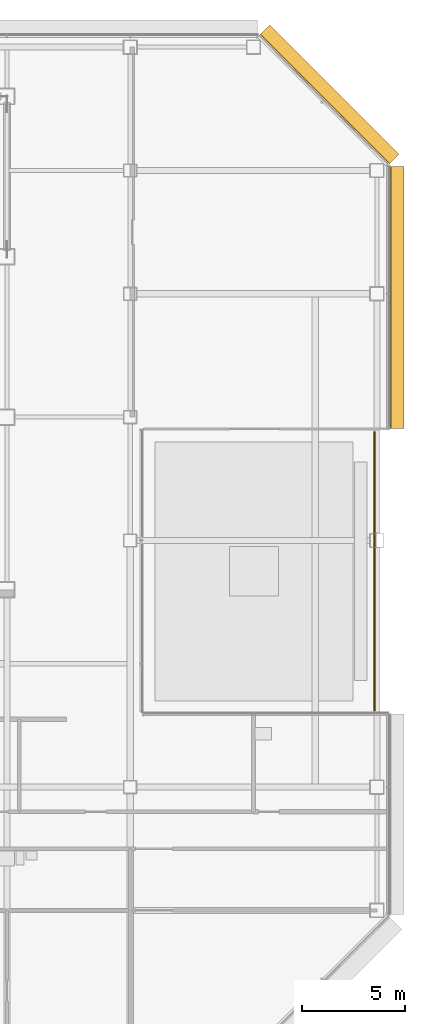
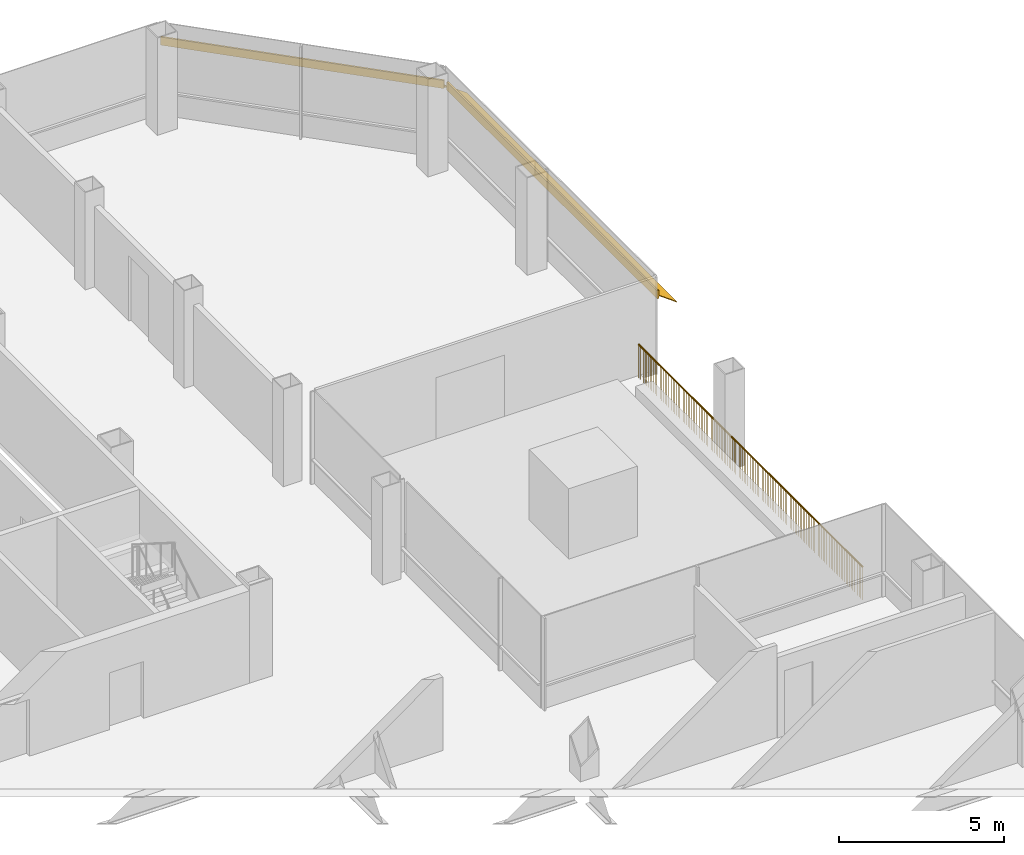
# One storey, part 25 of 27: 2 shading devices, 1 railing.
"""IFC4 building model written with IfcOpenShell, lengths in metres."""

from ifc_helpers import new_model, si_unit, direction, frame, origin, origin_2d, place, context, subcontext, project, spatial, polyline, circle, outline, extrude, material, type_object, element, save


model = new_model("IFC4")

# Units and contexts
model_context = context("Model", 3, precision=1e-05, world=origin(), true_north=direction((0.0, 1.0)))
body_context = subcontext(model_context, "Body", "Model", "MODEL_VIEW")
ifc_project = project(units=[si_unit("LENGTHUNIT", "METRE"), si_unit("AREAUNIT", "SQUARE_METRE"), si_unit("VOLUMEUNIT", "CUBIC_METRE"), si_unit("PLANEANGLEUNIT", "RADIAN"), si_unit("MASSUNIT", "GRAM", prefix="KILO")], contexts=[model_context])

# Site, building, storey
site_placement = place(None, origin())
site = spatial("IfcSite", under=ifc_project, at=site_placement, CompositionType="ELEMENT")
building_placement = place(site_placement, origin())
building = spatial("IfcBuilding", under=site, at=building_placement, Name="Sorahane Residences", CompositionType="ELEMENT")
storey_placement = place(building_placement, frame((0.0, 0.0, 167.199951171875)))
storey = spatial("IfcBuildingStorey", under=building, at=storey_placement, Name="L38", CompositionType="ELEMENT", Elevation=167.199951171875)

# Shading devices
ifc_material_1 = material(Name="Terracotta anodised aluminium", Category="masonry")
shading_device_type_1 = type_object("IfcShadingDeviceType", Name="Louvre sunshade blade E terracotta aluminium 700", PredefinedType="JALOUSIE", material=ifc_material_1)
shading_device_1_placement = place(storey_placement, frame((60.60009765625, 29.449951171875, 2.699951171875), z_axis=(0.0, 1.0, 0.0), x_axis=(-1.0, 0.0, 0.0)))
element("IfcShadingDevice", 1, at=shading_device_1_placement, inside=storey, type_object=shading_device_type_1, Name="Louvre sunshade blade bank E L38 E3", PredefinedType="JALOUSIE", context=body_context, shape_type="SweptSolid", body=[
    extrude(outline(polyline([(-0.719970703125, -0.49365234375), (-0.719970703125, -0.523681640625), (-0.080078125, -0.05859375), (-0.080078125, -0.14990234375), (-0.02001953125, -0.14990234375), (-0.02001953125, -0.014892578125), (-0.02001953125, 0.014892578125), (-0.02001953125, 0.14990234375), (-0.080078125, 0.14990234375), (-0.080078125, -0.028564453125), (-0.719970703125, -0.49365234375)])), origin(), (0.0, 0.0, 1.0), 12.74853515625),
])
ifc_material_2 = material(Name="Terracotta anodised aluminium", Category="masonry")
shading_device_type_2 = type_object("IfcShadingDeviceType", Name="Louvre sunshade blade NE terracotta aluminium 700", PredefinedType="JALOUSIE", material=ifc_material_2)
shading_device_2_placement = place(storey_placement, frame((60.564697265625, 42.283935546875, 2.699951171875), z_axis=(-0.707106781187, 0.707106781187, 0.0), x_axis=(-0.707106781187, -0.707106781187, 0.0)))
element("IfcShadingDevice", 2, at=shading_device_2_placement, inside=storey, type_object=shading_device_type_2, Name="Louvre sunshade blade bank NE L38 NE1", PredefinedType="JALOUSIE", context=body_context, shape_type="SweptSolid", body=[
    extrude(outline(polyline([(-0.719970703125, -0.572509765625), (-0.719970703125, -0.602294921875), (-0.080078125, -0.065185546875), (-0.080078125, -0.14990234375), (-0.02001953125, -0.14990234375), (-0.02001953125, -0.014892578125), (-0.02001953125, 0.014892578125), (-0.02001953125, 0.14990234375), (-0.080078125, 0.14990234375), (-0.080078125, -0.035400390625), (-0.719970703125, -0.572509765625)])), origin(), (0.0, 0.0, 1.0), 8.88232421875),
])

# Railing
ifc_material_3 = material(Name="Clear low-iron glass with a black steel top rail", Category="steel")
railing_type = type_object("IfcRailingType", Name="Terrace guard black steel bars 1260", PredefinedType="GUARDRAIL", material=ifc_material_3)
railing_placement = place(storey_placement, frame((59.8798828125, 29.280029296875, 0.0)))
element("IfcRailing", 3, at=railing_placement, inside=storey, type_object=railing_type, Name="Terrace guard L38.1.1", PredefinedType="GUARDRAIL", context=body_context, shape_type="SweptSolid", body=[
    extrude(circle(Radius=0.030029296875, at=origin_2d()), frame((0.0, 0.0, 1.22998046875), z_axis=(0.0, -1.0, 0.0), x_axis=(1.0, 0.0, 0.0)), (0.0, 0.0, 1.0), 13.56005859375),
    extrude(circle(Radius=0.0068359375, at=origin_2d()), origin(), (0.0, 0.0, 1.0), 1.199951171875),
    extrude(circle(Radius=0.0068359375, at=origin_2d()), frame((0.0, -0.099609375, 0.0)), (0.0, 0.0, 1.0), 1.199951171875),
    extrude(circle(Radius=0.0068359375, at=origin_2d()), frame((0.0, -0.199462890625, 0.0)), (0.0, 0.0, 1.0), 1.199951171875),
    extrude(circle(Radius=0.0068359375, at=origin_2d()), frame((0.0, -0.299072265625, 0.0)), (0.0, 0.0, 1.0), 1.199951171875),
    extrude(circle(Radius=0.0068359375, at=origin_2d()), frame((0.0, -0.39892578125, 0.0)), (0.0, 0.0, 1.0), 1.199951171875),
    extrude(circle(Radius=0.0068359375, at=origin_2d()), frame((0.0, -0.49853515625, 0.0)), (0.0, 0.0, 1.0), 1.199951171875),
    extrude(circle(Radius=0.0068359375, at=origin_2d()), frame((0.0, -0.59814453125, 0.0)), (0.0, 0.0, 1.0), 1.199951171875),
    extrude(circle(Radius=0.0068359375, at=origin_2d()), frame((0.0, -0.697998046875, 0.0)), (0.0, 0.0, 1.0), 1.199951171875),
    extrude(circle(Radius=0.0068359375, at=origin_2d()), frame((0.0, -0.797607421875, 0.0)), (0.0, 0.0, 1.0), 1.199951171875),
    extrude(circle(Radius=0.0068359375, at=origin_2d()), frame((0.0, -0.8974609375, 0.0)), (0.0, 0.0, 1.0), 1.199951171875),
    extrude(circle(Radius=0.0068359375, at=origin_2d()), frame((0.0, -0.9970703125, 0.0)), (0.0, 0.0, 1.0), 1.199951171875),
    extrude(circle(Radius=0.0068359375, at=origin_2d()), frame((0.0, -1.0966796875, 0.0)), (0.0, 0.0, 1.0), 1.199951171875),
    extrude(circle(Radius=0.0068359375, at=origin_2d()), frame((0.0, -1.196533203125, 0.0)), (0.0, 0.0, 1.0), 1.199951171875),
    extrude(circle(Radius=0.0068359375, at=origin_2d()), frame((0.0, -1.296142578125, 0.0)), (0.0, 0.0, 1.0), 1.199951171875),
    extrude(circle(Radius=0.0068359375, at=origin_2d()), frame((0.0, -1.39599609375, 0.0)), (0.0, 0.0, 1.0), 1.199951171875),
    extrude(circle(Radius=0.0068359375, at=origin_2d()), frame((0.0, -1.49560546875, 0.0)), (0.0, 0.0, 1.0), 1.199951171875),
    extrude(circle(Radius=0.0068359375, at=origin_2d()), frame((0.0, -1.59521484375, 0.0)), (0.0, 0.0, 1.0), 1.199951171875),
    extrude(circle(Radius=0.0068359375, at=origin_2d()), frame((0.0, -1.695068359375, 0.0)), (0.0, 0.0, 1.0), 1.199951171875),
    extrude(circle(Radius=0.0068359375, at=origin_2d()), frame((0.0, -1.794677734375, 0.0)), (0.0, 0.0, 1.0), 1.199951171875),
    extrude(circle(Radius=0.0068359375, at=origin_2d()), frame((0.0, -1.89453125, 0.0)), (0.0, 0.0, 1.0), 1.199951171875),
    extrude(circle(Radius=0.0068359375, at=origin_2d()), frame((0.0, -1.994140625, 0.0)), (0.0, 0.0, 1.0), 1.199951171875),
    extrude(circle(Radius=0.0068359375, at=origin_2d()), frame((0.0, -2.09375, 0.0)), (0.0, 0.0, 1.0), 1.199951171875),
    extrude(circle(Radius=0.0068359375, at=origin_2d()), frame((0.0, -2.193603515625, 0.0)), (0.0, 0.0, 1.0), 1.199951171875),
    extrude(circle(Radius=0.0068359375, at=origin_2d()), frame((0.0, -2.293212890625, 0.0)), (0.0, 0.0, 1.0), 1.199951171875),
    extrude(circle(Radius=0.0068359375, at=origin_2d()), frame((0.0, -2.39306640625, 0.0)), (0.0, 0.0, 1.0), 1.199951171875),
    extrude(circle(Radius=0.0068359375, at=origin_2d()), frame((0.0, -2.49267578125, 0.0)), (0.0, 0.0, 1.0), 1.199951171875),
    extrude(circle(Radius=0.0068359375, at=origin_2d()), frame((0.0, -2.59228515625, 0.0)), (0.0, 0.0, 1.0), 1.199951171875),
    extrude(circle(Radius=0.0068359375, at=origin_2d()), frame((0.0, -2.692138671875, 0.0)), (0.0, 0.0, 1.0), 1.199951171875),
    extrude(circle(Radius=0.0068359375, at=origin_2d()), frame((0.0, -2.791748046875, 0.0)), (0.0, 0.0, 1.0), 1.199951171875),
    extrude(circle(Radius=0.0068359375, at=origin_2d()), frame((0.0, -2.8916015625, 0.0)), (0.0, 0.0, 1.0), 1.199951171875),
    extrude(circle(Radius=0.0068359375, at=origin_2d()), frame((0.0, -2.9912109375, 0.0)), (0.0, 0.0, 1.0), 1.199951171875),
    extrude(circle(Radius=0.0068359375, at=origin_2d()), frame((0.0, -3.0908203125, 0.0)), (0.0, 0.0, 1.0), 1.199951171875),
    extrude(circle(Radius=0.0068359375, at=origin_2d()), frame((0.0, -3.190673828125, 0.0)), (0.0, 0.0, 1.0), 1.199951171875),
    extrude(circle(Radius=0.0068359375, at=origin_2d()), frame((0.0, -3.290283203125, 0.0)), (0.0, 0.0, 1.0), 1.199951171875),
    extrude(circle(Radius=0.0068359375, at=origin_2d()), frame((0.0, -3.39013671875, 0.0)), (0.0, 0.0, 1.0), 1.199951171875),
    extrude(circle(Radius=0.0068359375, at=origin_2d()), frame((0.0, -3.48974609375, 0.0)), (0.0, 0.0, 1.0), 1.199951171875),
    extrude(circle(Radius=0.0068359375, at=origin_2d()), frame((0.0, -3.58935546875, 0.0)), (0.0, 0.0, 1.0), 1.199951171875),
    extrude(circle(Radius=0.0068359375, at=origin_2d()), frame((0.0, -3.689208984375, 0.0)), (0.0, 0.0, 1.0), 1.199951171875),
    extrude(circle(Radius=0.0068359375, at=origin_2d()), frame((0.0, -3.788818359375, 0.0)), (0.0, 0.0, 1.0), 1.199951171875),
    extrude(circle(Radius=0.0068359375, at=origin_2d()), frame((0.0, -3.888427734375, 0.0)), (0.0, 0.0, 1.0), 1.199951171875),
    extrude(circle(Radius=0.0068359375, at=origin_2d()), frame((0.0, -3.98828125, 0.0)), (0.0, 0.0, 1.0), 1.199951171875),
    extrude(circle(Radius=0.0068359375, at=origin_2d()), frame((0.0, -4.087890625, 0.0)), (0.0, 0.0, 1.0), 1.199951171875),
    extrude(circle(Radius=0.0068359375, at=origin_2d()), frame((0.0, -4.187744140625, 0.0)), (0.0, 0.0, 1.0), 1.199951171875),
    extrude(circle(Radius=0.0068359375, at=origin_2d()), frame((0.0, -4.287353515625, 0.0)), (0.0, 0.0, 1.0), 1.199951171875),
    extrude(circle(Radius=0.0068359375, at=origin_2d()), frame((0.0, -4.386962890625, 0.0)), (0.0, 0.0, 1.0), 1.199951171875),
    extrude(circle(Radius=0.0068359375, at=origin_2d()), frame((0.0, -4.48681640625, 0.0)), (0.0, 0.0, 1.0), 1.199951171875),
    extrude(circle(Radius=0.0068359375, at=origin_2d()), frame((0.0, -4.58642578125, 0.0)), (0.0, 0.0, 1.0), 1.199951171875),
    extrude(circle(Radius=0.0068359375, at=origin_2d()), frame((0.0, -4.686279296875, 0.0)), (0.0, 0.0, 1.0), 1.199951171875),
    extrude(circle(Radius=0.0068359375, at=origin_2d()), frame((0.0, -4.785888671875, 0.0)), (0.0, 0.0, 1.0), 1.199951171875),
    extrude(circle(Radius=0.0068359375, at=origin_2d()), frame((0.0, -4.885498046875, 0.0)), (0.0, 0.0, 1.0), 1.199951171875),
    extrude(circle(Radius=0.0068359375, at=origin_2d()), frame((0.0, -4.9853515625, 0.0)), (0.0, 0.0, 1.0), 1.199951171875),
    extrude(circle(Radius=0.0068359375, at=origin_2d()), frame((0.0, -5.0849609375, 0.0)), (0.0, 0.0, 1.0), 1.199951171875),
    extrude(circle(Radius=0.0068359375, at=origin_2d()), frame((0.0, -5.184814453125, 0.0)), (0.0, 0.0, 1.0), 1.199951171875),
    extrude(circle(Radius=0.0068359375, at=origin_2d()), frame((0.0, -5.284423828125, 0.0)), (0.0, 0.0, 1.0), 1.199951171875),
    extrude(circle(Radius=0.0068359375, at=origin_2d()), frame((0.0, -5.384033203125, 0.0)), (0.0, 0.0, 1.0), 1.199951171875),
    extrude(circle(Radius=0.0068359375, at=origin_2d()), frame((0.0, -5.48388671875, 0.0)), (0.0, 0.0, 1.0), 1.199951171875),
    extrude(circle(Radius=0.0068359375, at=origin_2d()), frame((0.0, -5.58349609375, 0.0)), (0.0, 0.0, 1.0), 1.199951171875),
    extrude(circle(Radius=0.0068359375, at=origin_2d()), frame((0.0, -5.683349609375, 0.0)), (0.0, 0.0, 1.0), 1.199951171875),
    extrude(circle(Radius=0.0068359375, at=origin_2d()), frame((0.0, -5.782958984375, 0.0)), (0.0, 0.0, 1.0), 1.199951171875),
    extrude(circle(Radius=0.0068359375, at=origin_2d()), frame((0.0, -5.882568359375, 0.0)), (0.0, 0.0, 1.0), 1.199951171875),
    extrude(circle(Radius=0.0068359375, at=origin_2d()), frame((0.0, -5.982421875, 0.0)), (0.0, 0.0, 1.0), 1.199951171875),
    extrude(circle(Radius=0.0068359375, at=origin_2d()), frame((0.0, -6.08203125, 0.0)), (0.0, 0.0, 1.0), 1.199951171875),
    extrude(circle(Radius=0.0068359375, at=origin_2d()), frame((0.0, -6.181884765625, 0.0)), (0.0, 0.0, 1.0), 1.199951171875),
    extrude(circle(Radius=0.0068359375, at=origin_2d()), frame((0.0, -6.281494140625, 0.0)), (0.0, 0.0, 1.0), 1.199951171875),
    extrude(circle(Radius=0.0068359375, at=origin_2d()), frame((0.0, -6.381103515625, 0.0)), (0.0, 0.0, 1.0), 1.199951171875),
    extrude(circle(Radius=0.0068359375, at=origin_2d()), frame((0.0, -6.48095703125, 0.0)), (0.0, 0.0, 1.0), 1.199951171875),
    extrude(circle(Radius=0.0068359375, at=origin_2d()), frame((0.0, -6.58056640625, 0.0)), (0.0, 0.0, 1.0), 1.199951171875),
    extrude(circle(Radius=0.0068359375, at=origin_2d()), frame((0.0, -6.680419921875, 0.0)), (0.0, 0.0, 1.0), 1.199951171875),
    extrude(circle(Radius=0.0068359375, at=origin_2d()), frame((0.0, -6.780029296875, 0.0)), (0.0, 0.0, 1.0), 1.199951171875),
    extrude(circle(Radius=0.0068359375, at=origin_2d()), frame((0.0, -6.879638671875, 0.0)), (0.0, 0.0, 1.0), 1.199951171875),
    extrude(circle(Radius=0.0068359375, at=origin_2d()), frame((0.0, -6.9794921875, 0.0)), (0.0, 0.0, 1.0), 1.199951171875),
    extrude(circle(Radius=0.0068359375, at=origin_2d()), frame((0.0, -7.0791015625, 0.0)), (0.0, 0.0, 1.0), 1.199951171875),
    extrude(circle(Radius=0.0068359375, at=origin_2d()), frame((0.0, -7.178955078125, 0.0)), (0.0, 0.0, 1.0), 1.199951171875),
    extrude(circle(Radius=0.0068359375, at=origin_2d()), frame((0.0, -7.278564453125, 0.0)), (0.0, 0.0, 1.0), 1.199951171875),
    extrude(circle(Radius=0.0068359375, at=origin_2d()), frame((0.0, -7.378173828125, 0.0)), (0.0, 0.0, 1.0), 1.199951171875),
    extrude(circle(Radius=0.0068359375, at=origin_2d()), frame((0.0, -7.47802734375, 0.0)), (0.0, 0.0, 1.0), 1.199951171875),
    extrude(circle(Radius=0.0068359375, at=origin_2d()), frame((0.0, -7.57763671875, 0.0)), (0.0, 0.0, 1.0), 1.199951171875),
    extrude(circle(Radius=0.0068359375, at=origin_2d()), frame((0.0, -7.677490234375, 0.0)), (0.0, 0.0, 1.0), 1.199951171875),
    extrude(circle(Radius=0.0068359375, at=origin_2d()), frame((0.0, -7.777099609375, 0.0)), (0.0, 0.0, 1.0), 1.199951171875),
    extrude(circle(Radius=0.0068359375, at=origin_2d()), frame((0.0, -7.876708984375, 0.0)), (0.0, 0.0, 1.0), 1.199951171875),
    extrude(circle(Radius=0.0068359375, at=origin_2d()), frame((0.0, -7.9765625, 0.0)), (0.0, 0.0, 1.0), 1.199951171875),
    extrude(circle(Radius=0.0068359375, at=origin_2d()), frame((0.0, -8.076171875, 0.0)), (0.0, 0.0, 1.0), 1.199951171875),
    extrude(circle(Radius=0.0068359375, at=origin_2d()), frame((0.0, -8.176025390625, 0.0)), (0.0, 0.0, 1.0), 1.199951171875),
    extrude(circle(Radius=0.0068359375, at=origin_2d()), frame((0.0, -8.275634765625, 0.0)), (0.0, 0.0, 1.0), 1.199951171875),
    extrude(circle(Radius=0.0068359375, at=origin_2d()), frame((0.0, -8.375244140625, 0.0)), (0.0, 0.0, 1.0), 1.199951171875),
    extrude(circle(Radius=0.0068359375, at=origin_2d()), frame((0.0, -8.47509765625, 0.0)), (0.0, 0.0, 1.0), 1.199951171875),
    extrude(circle(Radius=0.0068359375, at=origin_2d()), frame((0.0, -8.57470703125, 0.0)), (0.0, 0.0, 1.0), 1.199951171875),
    extrude(circle(Radius=0.0068359375, at=origin_2d()), frame((0.0, -8.674560546875, 0.0)), (0.0, 0.0, 1.0), 1.199951171875),
    extrude(circle(Radius=0.0068359375, at=origin_2d()), frame((0.0, -8.774169921875, 0.0)), (0.0, 0.0, 1.0), 1.199951171875),
    extrude(circle(Radius=0.0068359375, at=origin_2d()), frame((0.0, -8.873779296875, 0.0)), (0.0, 0.0, 1.0), 1.199951171875),
    extrude(circle(Radius=0.0068359375, at=origin_2d()), frame((0.0, -8.9736328125, 0.0)), (0.0, 0.0, 1.0), 1.199951171875),
    extrude(circle(Radius=0.0068359375, at=origin_2d()), frame((0.0, -9.0732421875, 0.0)), (0.0, 0.0, 1.0), 1.199951171875),
    extrude(circle(Radius=0.0068359375, at=origin_2d()), frame((0.0, -9.173095703125, 0.0)), (0.0, 0.0, 1.0), 1.199951171875),
    extrude(circle(Radius=0.0068359375, at=origin_2d()), frame((0.0, -9.272705078125, 0.0)), (0.0, 0.0, 1.0), 1.199951171875),
    extrude(circle(Radius=0.0068359375, at=origin_2d()), frame((0.0, -9.372314453125, 0.0)), (0.0, 0.0, 1.0), 1.199951171875),
    extrude(circle(Radius=0.0068359375, at=origin_2d()), frame((0.0, -9.47216796875, 0.0)), (0.0, 0.0, 1.0), 1.199951171875),
    extrude(circle(Radius=0.0068359375, at=origin_2d()), frame((0.0, -9.57177734375, 0.0)), (0.0, 0.0, 1.0), 1.199951171875),
    extrude(circle(Radius=0.0068359375, at=origin_2d()), frame((0.0, -9.671630859375, 0.0)), (0.0, 0.0, 1.0), 1.199951171875),
    extrude(circle(Radius=0.0068359375, at=origin_2d()), frame((0.0, -9.771240234375, 0.0)), (0.0, 0.0, 1.0), 1.199951171875),
    extrude(circle(Radius=0.0068359375, at=origin_2d()), frame((0.0, -9.870849609375, 0.0)), (0.0, 0.0, 1.0), 1.199951171875),
    extrude(circle(Radius=0.0068359375, at=origin_2d()), frame((0.0, -9.970703125, 0.0)), (0.0, 0.0, 1.0), 1.199951171875),
    extrude(circle(Radius=0.0068359375, at=origin_2d()), frame((0.0, -10.0703125, 0.0)), (0.0, 0.0, 1.0), 1.199951171875),
    extrude(circle(Radius=0.0068359375, at=origin_2d()), frame((0.0, -10.169921875, 0.0)), (0.0, 0.0, 1.0), 1.199951171875),
    extrude(circle(Radius=0.0068359375, at=origin_2d()), frame((0.0, -10.269775390625, 0.0)), (0.0, 0.0, 1.0), 1.199951171875),
    extrude(circle(Radius=0.0068359375, at=origin_2d()), frame((0.0, -10.369384765625, 0.0)), (0.0, 0.0, 1.0), 1.199951171875),
    extrude(circle(Radius=0.0068359375, at=origin_2d()), frame((0.0, -10.46923828125, 0.0)), (0.0, 0.0, 1.0), 1.199951171875),
    extrude(circle(Radius=0.0068359375, at=origin_2d()), frame((0.0, -10.56884765625, 0.0)), (0.0, 0.0, 1.0), 1.199951171875),
    extrude(circle(Radius=0.0068359375, at=origin_2d()), frame((0.0, -10.66845703125, 0.0)), (0.0, 0.0, 1.0), 1.199951171875),
    extrude(circle(Radius=0.0068359375, at=origin_2d()), frame((0.0, -10.768310546875, 0.0)), (0.0, 0.0, 1.0), 1.199951171875),
    extrude(circle(Radius=0.0068359375, at=origin_2d()), frame((0.0, -10.867919921875, 0.0)), (0.0, 0.0, 1.0), 1.199951171875),
    extrude(circle(Radius=0.0068359375, at=origin_2d()), frame((0.0, -10.9677734375, 0.0)), (0.0, 0.0, 1.0), 1.199951171875),
    extrude(circle(Radius=0.0068359375, at=origin_2d()), frame((0.0, -11.0673828125, 0.0)), (0.0, 0.0, 1.0), 1.199951171875),
    extrude(circle(Radius=0.0068359375, at=origin_2d()), frame((0.0, -11.1669921875, 0.0)), (0.0, 0.0, 1.0), 1.199951171875),
    extrude(circle(Radius=0.0068359375, at=origin_2d()), frame((0.0, -11.266845703125, 0.0)), (0.0, 0.0, 1.0), 1.199951171875),
    extrude(circle(Radius=0.0068359375, at=origin_2d()), frame((0.0, -11.366455078125, 0.0)), (0.0, 0.0, 1.0), 1.199951171875),
    extrude(circle(Radius=0.0068359375, at=origin_2d()), frame((0.0, -11.46630859375, 0.0)), (0.0, 0.0, 1.0), 1.199951171875),
    extrude(circle(Radius=0.0068359375, at=origin_2d()), frame((0.0, -11.56591796875, 0.0)), (0.0, 0.0, 1.0), 1.199951171875),
    extrude(circle(Radius=0.0068359375, at=origin_2d()), frame((0.0, -11.66552734375, 0.0)), (0.0, 0.0, 1.0), 1.199951171875),
    extrude(circle(Radius=0.0068359375, at=origin_2d()), frame((0.0, -11.765380859375, 0.0)), (0.0, 0.0, 1.0), 1.199951171875),
    extrude(circle(Radius=0.0068359375, at=origin_2d()), frame((0.0, -11.864990234375, 0.0)), (0.0, 0.0, 1.0), 1.199951171875),
    extrude(circle(Radius=0.0068359375, at=origin_2d()), frame((0.0, -11.96484375, 0.0)), (0.0, 0.0, 1.0), 1.199951171875),
    extrude(circle(Radius=0.0068359375, at=origin_2d()), frame((0.0, -12.064453125, 0.0)), (0.0, 0.0, 1.0), 1.199951171875),
    extrude(circle(Radius=0.0068359375, at=origin_2d()), frame((0.0, -12.1640625, 0.0)), (0.0, 0.0, 1.0), 1.199951171875),
    extrude(circle(Radius=0.0068359375, at=origin_2d()), frame((0.0, -12.263916015625, 0.0)), (0.0, 0.0, 1.0), 1.199951171875),
    extrude(circle(Radius=0.0068359375, at=origin_2d()), frame((0.0, -12.363525390625, 0.0)), (0.0, 0.0, 1.0), 1.199951171875),
    extrude(circle(Radius=0.0068359375, at=origin_2d()), frame((0.0, -12.46337890625, 0.0)), (0.0, 0.0, 1.0), 1.199951171875),
    extrude(circle(Radius=0.0068359375, at=origin_2d()), frame((0.0, -12.56298828125, 0.0)), (0.0, 0.0, 1.0), 1.199951171875),
    extrude(circle(Radius=0.0068359375, at=origin_2d()), frame((0.0, -12.66259765625, 0.0)), (0.0, 0.0, 1.0), 1.199951171875),
    extrude(circle(Radius=0.0068359375, at=origin_2d()), frame((0.0, -12.762451171875, 0.0)), (0.0, 0.0, 1.0), 1.199951171875),
    extrude(circle(Radius=0.0068359375, at=origin_2d()), frame((0.0, -12.862060546875, 0.0)), (0.0, 0.0, 1.0), 1.199951171875),
    extrude(circle(Radius=0.0068359375, at=origin_2d()), frame((0.0, -12.9619140625, 0.0)), (0.0, 0.0, 1.0), 1.199951171875),
    extrude(circle(Radius=0.0068359375, at=origin_2d()), frame((0.0, -13.0615234375, 0.0)), (0.0, 0.0, 1.0), 1.199951171875),
    extrude(circle(Radius=0.0068359375, at=origin_2d()), frame((0.0, -13.1611328125, 0.0)), (0.0, 0.0, 1.0), 1.199951171875),
    extrude(circle(Radius=0.0068359375, at=origin_2d()), frame((0.0, -13.260986328125, 0.0)), (0.0, 0.0, 1.0), 1.199951171875),
    extrude(circle(Radius=0.0068359375, at=origin_2d()), frame((0.0, -13.360595703125, 0.0)), (0.0, 0.0, 1.0), 1.199951171875),
    extrude(circle(Radius=0.0068359375, at=origin_2d()), frame((0.0, -13.46044921875, 0.0)), (0.0, 0.0, 1.0), 1.199951171875),
    extrude(circle(Radius=0.0068359375, at=origin_2d()), frame((0.0, -13.56005859375, 0.0)), (0.0, 0.0, 1.0), 1.199951171875),
])

save(model, "model.ifc")
